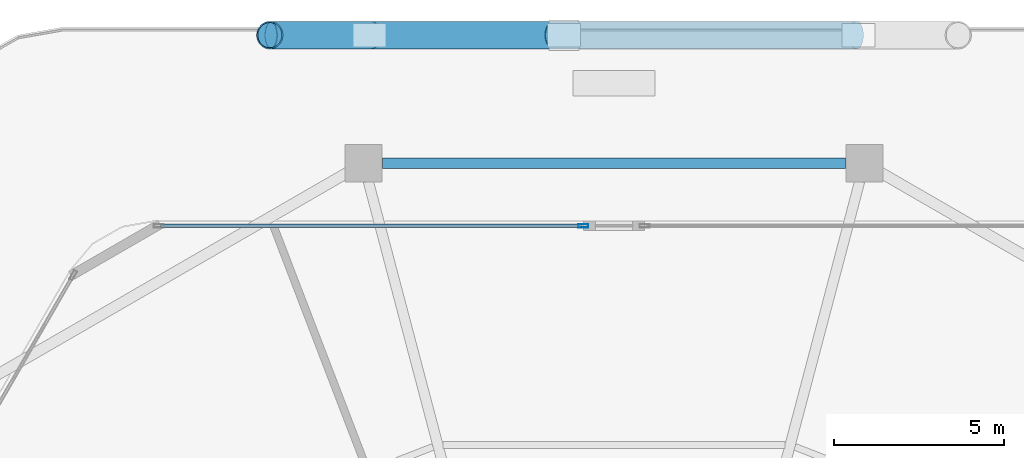
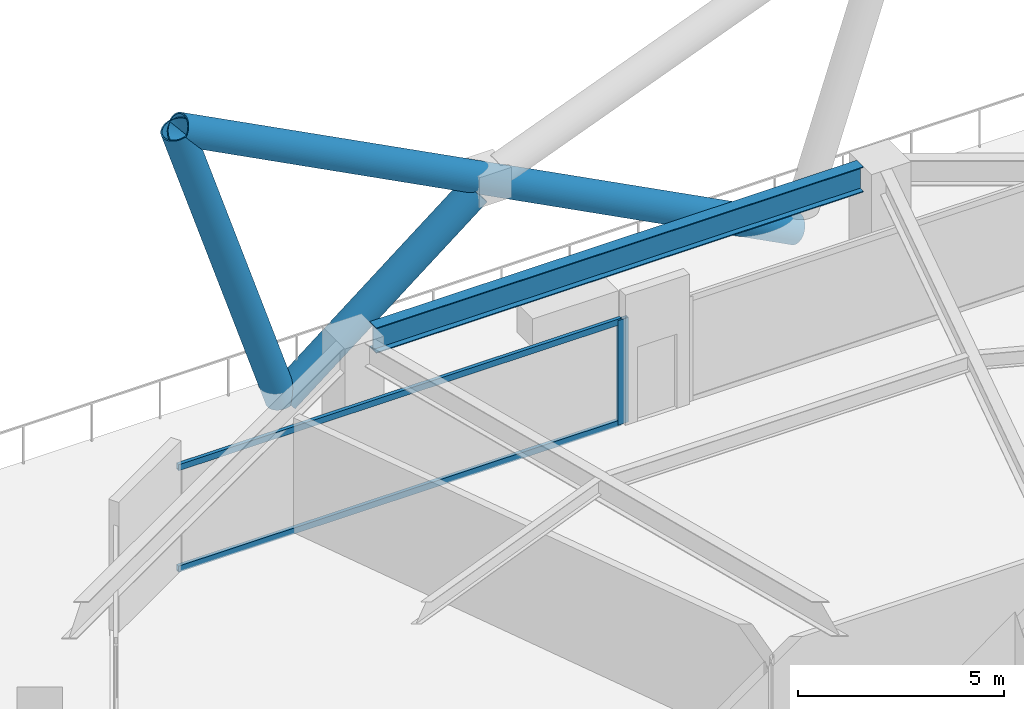
# One storey, part 16 of 28: 6 members, 1 beam, 1 element without a shape of its own.
"""IFC4 building model written with IfcOpenShell, lengths in metres."""

from ifc_helpers import new_model, si_unit, direction, frame, origin, origin_2d, place, context, subcontext, project, spatial, hollow_rectangle, hollow_circle, i_section, extrude, material, material_profile, profile_set, type_object, element, aggregate, save


model = new_model("IFC4")

# Units and contexts
model_context = context("Model", 3, precision=1e-05, world=origin(), true_north=direction((0.0, 1.0)))
body_context = subcontext(model_context, "Body", "Model", "MODEL_VIEW")
ifc_project = project(units=[si_unit("LENGTHUNIT", "METRE"), si_unit("AREAUNIT", "SQUARE_METRE"), si_unit("VOLUMEUNIT", "CUBIC_METRE"), si_unit("PLANEANGLEUNIT", "RADIAN"), si_unit("MASSUNIT", "GRAM", prefix="KILO")], contexts=[model_context])

# Site, building, storey
site_placement = place(None, origin())
site = spatial("IfcSite", under=ifc_project, at=site_placement, CompositionType="ELEMENT")
building_placement = place(site_placement, origin())
building = spatial("IfcBuilding", under=site, at=building_placement, Name="Zuhravey Tower", CompositionType="ELEMENT")
storey_placement = place(building_placement, frame((0.0, 0.0, 83.39990234375)))
storey = spatial("IfcBuildingStorey", under=building, at=storey_placement, Name="L20", CompositionType="ELEMENT", Elevation=83.39990234375)

# Members
ifc_material_1 = material(Name="Steel SM460", Category="steel")
ifc_material_profile_1 = material_profile(ifc_material_1, hollow_circle(Radius=0.406494140625, WallThickness=0.035888671875, at=origin_2d()), Name="CHS-812.8x36")
ifc_profile_set_1 = profile_set([ifc_material_profile_1], Name="Steel SM460")
member_type_1 = type_object("IfcMemberType", Name="Exoskeleton Zone 1 Diagrid CHS813x36", PredefinedType="BRACE", material=ifc_profile_set_1)
member_1_placement = place(storey_placement, frame((43.151611328125, 63.718505859375, -0.471923828125), z_axis=(-0.886835205082, 0.0, 0.462085835128), x_axis=(0.0, -1.0, 0.0)))
element("IfcMember", 1, at=member_1_placement, inside=storey, type_object=member_type_1, Name="L20 Face 2 Diagrid Brace 2", PredefinedType="BRACE", context=body_context, shape_type="SweptSolid", body=[
    extrude(hollow_circle(Radius=0.406494140625, WallThickness=0.035888671875, at=origin_2d()), origin(), (0.0, 0.0, 1.0), 19.44677734375),
])
member_2_placement = place(storey_placement, frame((28.798828125, 63.718505859375, -0.471923828125), z_axis=(-0.309850554029, 0.0, 0.950785272376), x_axis=(0.0, -1.0, 0.0)))
element("IfcMember", 2, at=member_2_placement, inside=storey, type_object=member_type_1, Name="L20 Face 2 Diagrid Brace 4", PredefinedType="BRACE", context=body_context, shape_type="SweptSolid", body=[
    extrude(hollow_circle(Radius=0.406494140625, WallThickness=0.035888671875, at=origin_2d()), origin(), (0.0, 0.0, 1.0), 9.451171875),
])
member_3_placement = place(storey_placement, frame((28.843505859375, 63.718505859375, -0.46435546875), z_axis=(0.785075368138, 0.0, 0.61940024729), x_axis=(0.0, 1.0, 0.0)))
element("IfcMember", 3, at=member_3_placement, inside=storey, type_object=member_type_1, Name="L20 Face 2 Split Diagrid Brace 3A", PredefinedType="BRACE", context=body_context, shape_type="SweptSolid", body=[
    extrude(hollow_circle(Radius=0.406494140625, WallThickness=0.035888671875, at=origin_2d()), origin(), (0.0, 0.0, 1.0), 6.844970703125),
])

# Curtain wall, member
ifc_material_2 = material(Name="Thermally broken anodised aluminium", Category="aluminium")
curtain_wall_type = type_object("IfcCurtainWallType", Name="Sky-Playground Recessed Curtain Wall CW2", PredefinedType="NOTDEFINED", material=ifc_material_2)
curtain_wall_placement = place(storey_placement, origin())
curtain_wall = element("IfcCurtainWall", 4, at=curtain_wall_placement, inside=storey, type_object=curtain_wall_type, Name="L20 CW2 CW-L20-F2-1", PredefinedType="NOTDEFINED")
ifc_material_3 = material(Name="Anodised aluminium", Category="aluminium")
ifc_material_profile_2 = material_profile(ifc_material_3, hollow_rectangle(XDim=0.10009765625, YDim=0.2900390625, WallThickness=0.006103515625, at=origin_2d()), Name="ALU-RHS-100x290x6")
ifc_profile_set_2 = profile_set([ifc_material_profile_2], Name="Anodised aluminium")
member_type_2 = type_object("IfcMemberType", Name="Heavy Tall-Storey Mullion 100x220", PredefinedType="MULLION", material=ifc_profile_set_2)
member_4_placement = place(storey_placement, frame((35.10009765625, 58.1083984375, 0.0), z_axis=(0.0, 0.0, 1.0), x_axis=(0.0, 1.0, 0.0)))
member_4 = element("IfcMember", 5, at=member_4_placement, type_object=member_type_2, Name="CW2 mullion 2", PredefinedType="MULLION", context=body_context, shape_type="SweptSolid", body=[
    extrude(hollow_rectangle(XDim=0.10009765625, YDim=0.2900390625, WallThickness=0.006103515625, at=origin_2d()), origin(), (0.0, 0.0, 1.0), 3.10009765625),
])

# Beam
ifc_material_4 = material(Name="Steel SM355", Category="steel")
ifc_material_profile_3 = material_profile(ifc_material_4, i_section(OverallWidth=0.320068359375, OverallDepth=0.75, WebThickness=0.013916015625, FlangeThickness=0.02490234375, at=origin_2d()), Name="H-750x320x14x25")
ifc_profile_set_3 = profile_set([ifc_material_profile_3], Name="Steel SM355")
beam_type = type_object("IfcBeamType", Name="Perimeter Ring Beam H750x320", PredefinedType="BEAM", material=ifc_profile_set_3)
beam_placement = place(storey_placement, frame((42.81689453125, 59.948486328125, 3.47509765625), z_axis=(-1.0, 0.0, 0.0), x_axis=(0.0, -1.0, 0.0)))
element("IfcBeam", 6, at=beam_placement, inside=storey, type_object=beam_type, Name="L20 PB1 BM-L20-PB-03", PredefinedType="BEAM", context=body_context, shape_type="SweptSolid", body=[
    extrude(i_section(OverallWidth=0.320068359375, OverallDepth=0.75, WebThickness=0.013916015625, FlangeThickness=0.02490234375, at=origin_2d()), origin(), (0.0, 0.0, 1.0), 13.6337890625),
])

# Member
ifc_material_profile_4 = material_profile(ifc_material_3, hollow_rectangle(XDim=0.10009765625, YDim=0.179931640625, WallThickness=0.006103515625, at=origin_2d()), Name="ALU-RHS-100x180x6")
ifc_profile_set_4 = profile_set([ifc_material_profile_4], Name="Anodised aluminium")
member_type_3 = type_object("IfcMemberType", Name="Tall-Storey Transom 100x180", PredefinedType="USERDEFINED", material=ifc_profile_set_4)
member_5_placement = place(storey_placement, frame((22.6572265625, 58.1083984375, 0.050048828125), z_axis=(1.0, 0.0, 0.0), x_axis=(0.0, 1.0, 0.0)))
member_5 = element("IfcMember", 7, at=member_5_placement, type_object=member_type_3, Name="CW2 transom 1.1", ObjectType="TRANSOM", PredefinedType="USERDEFINED", context=body_context, shape_type="SweptSolid", body=[
    extrude(hollow_rectangle(XDim=0.10009765625, YDim=0.179931640625, WallThickness=0.006103515625, at=origin_2d()), origin(), (0.0, 0.0, 1.0), 12.392822265625),
])

member_6_placement = place(storey_placement, frame((22.6572265625, 58.1083984375, 3.050048828125), z_axis=(1.0, 0.0, 0.0), x_axis=(0.0, 1.0, 0.0)))
member_6 = element("IfcMember", 8, at=member_6_placement, type_object=member_type_3, Name="CW2 transom 1.2", ObjectType="TRANSOM", PredefinedType="USERDEFINED", context=body_context, shape_type="SweptSolid", body=[
    extrude(hollow_rectangle(XDim=0.10009765625, YDim=0.179931640625, WallThickness=0.006103515625, at=origin_2d()), origin(), (0.0, 0.0, 1.0), 12.392822265625),
])

aggregate(curtain_wall, [member_4, member_5, member_6])

save(model, "model.ifc")
